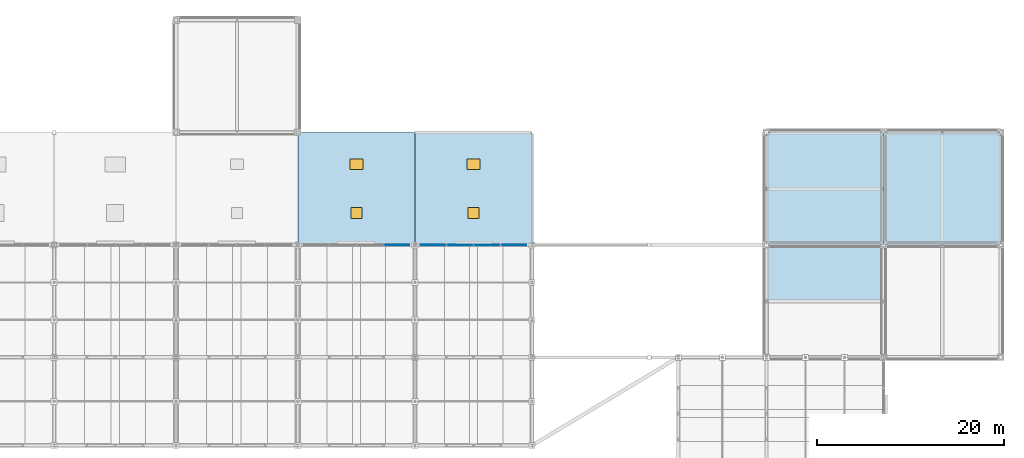
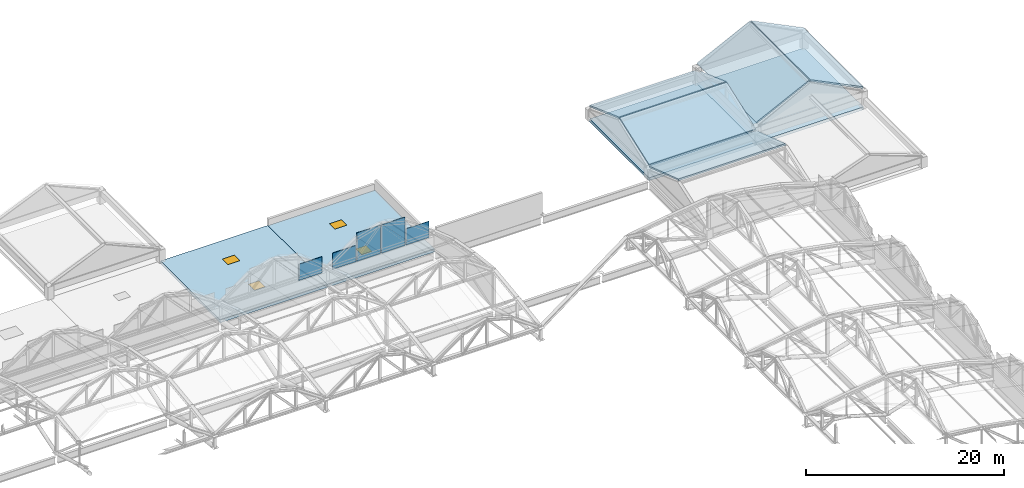
"""IFC4 building model written with IfcOpenShell, lengths in metres."""

from ifc_helpers import new_model, si_unit, direction, frame, origin, origin_2d, place, context, subcontext, project, spatial, polyline, rectangle, outline, extrude, material, layer, layer_set, type_object, element, fill, save


model = new_model("IFC4")

# Units and contexts
model_context = context("Model", 3, precision=1e-05, world=origin(), true_north=direction((0.0, 1.0)))
body_context = subcontext(model_context, "Body", "Model", "MODEL_VIEW")
ifc_project = project(units=[si_unit("LENGTHUNIT", "METRE"), si_unit("AREAUNIT", "SQUARE_METRE"), si_unit("VOLUMEUNIT", "CUBIC_METRE"), si_unit("PLANEANGLEUNIT", "RADIAN"), si_unit("MASSUNIT", "GRAM", prefix="KILO")], contexts=[model_context])

# Site, building, storey
site_placement = place(None, origin())
site = spatial("IfcSite", under=ifc_project, at=site_placement, CompositionType="ELEMENT")
building_placement = place(site_placement, origin())
building = spatial("IfcBuilding", under=site, at=building_placement, Name="Kazenohara Klinker Stadium", CompositionType="ELEMENT")
storey_1_placement = place(building_placement, frame((0.0, 0.0, 31.199951171875)))
storey_1 = spatial("IfcBuildingStorey", under=building, at=storey_1_placement, Name="RF", CompositionType="ELEMENT", Elevation=31.199951171875)

# Plates
ifc_material_1 = material(Name="Low-e laminated triple glazing", Category="glass")
ifc_layer_1 = layer(ifc_material_1, 0.0439453125)
ifc_layer_set_1 = layer_set([ifc_layer_1], Name="Low-e laminated triple glazing")
plate_type = type_object("IfcPlateType", Name="PLT-GLZ-CLER", PredefinedType="USERDEFINED", material=ifc_layer_set_1)
for number, where, z_axis, x_axis, name in (
    (1, (135.53125, 144.0, 1.650146484375), (0.0, 0.0, 1.0), (1.0, 0.0, 0.0), "Arched barrel clerestory glazing panel CP02 N-06-Q4"),
    (2, (139.46875, 144.0, 1.650146484375), (0.0, 0.0, 1.0), (1.0, 0.0, 0.0), "Arched barrel clerestory glazing panel CP02 N-07-Q1"),
):
    element("IfcPlate", number, at=place(storey_1_placement, frame(where, z_axis=z_axis, x_axis=x_axis)), inside=storey_1, type_object=plate_type, Name=name, ObjectType="CLERESTORY GLAZING", PredefinedType="USERDEFINED", context=body_context, shape_type="SweptSolid", body=[
        extrude(rectangle(XDim=2.6875, YDim=0.0439453125, at=origin_2d()), origin(), (0.0, 0.0, 1.0), 2.0),
    ])
for number, where, z_axis, x_axis, name in (
    (3, (142.3125, 144.0, 1.650146484375), (0.0, 0.0, 1.0), (1.0, 0.0, 0.0), "Arched barrel clerestory glazing panel CP02 N-07-Q2"),
    (4, (145.1875, 144.0, 1.650146484375), (0.0, 0.0, 1.0), (1.0, 0.0, 0.0), "Arched barrel clerestory glazing panel CP02 N-07-Q3"),
):
    element("IfcPlate", number, at=place(storey_1_placement, frame(where, z_axis=z_axis, x_axis=x_axis)), inside=storey_1, type_object=plate_type, Name=name, ObjectType="CLERESTORY GLAZING", PredefinedType="USERDEFINED", context=body_context, shape_type="SweptSolid", body=[
        extrude(rectangle(XDim=2.75, YDim=0.0439453125, at=origin_2d()), origin(), (0.0, 0.0, 1.0), 3.5),
    ])
plate_placement = place(storey_1_placement, frame((148.03125, 144.0, 1.650146484375), z_axis=(0.0, 0.0, 1.0), x_axis=(1.0, 0.0, 0.0)))
element("IfcPlate", 5, at=plate_placement, inside=storey_1, type_object=plate_type, Name="Arched barrel clerestory glazing panel CP02 N-07-Q4", ObjectType="CLERESTORY GLAZING", PredefinedType="USERDEFINED", context=body_context, shape_type="SweptSolid", body=[
    extrude(rectangle(XDim=2.6875, YDim=0.0439453125, at=origin_2d()), origin(), (0.0, 0.0, 1.0), 2.0),
])

# Slabs
ifc_material_2 = material(Name="Steel S355", Category="steel")
ifc_layer_2 = layer(ifc_material_2, 0.18994140625)
ifc_layer_set_2 = layer_set([ifc_layer_2], Name="Steel S355")
slab_type_1 = type_object("IfcSlabType", Name="SLB-ROOF-190", PredefinedType="ROOF", material=ifc_layer_set_2)
for number, where, z_axis, x_axis, name in (
    (6, (187.5, 144.0, 2.469970703125), (-0.441703727171, 0.0, 0.897160976304), (0.897160976304, 0.0, 0.441703727171), "Pitched turret crown roof slab RS03 GT3-NE-A"),
    (7, (193.804931640625, 144.0, 5.52001953125), (0.441703727171, 0.0, 0.897160976304), (0.897160976304, 0.0, -0.441703727171), "Pitched turret crown roof slab RS03 GT3-NE-B"),
):
    element("IfcSlab", number, at=place(storey_1_placement, frame(where, z_axis=z_axis, x_axis=x_axis)), inside=storey_1, type_object=slab_type_1, Name=name, PredefinedType="ROOF", context=body_context, shape_type="SweptSolid", body=[
        extrude(outline(polyline([(0.0, 0.0), (6.905191513004975, 0.0), (6.905191513004975, 12.0), (0.0, 12.0), (0.0, 0.0)])), origin(), (0.0, 0.0, -1.0), 0.18994140625),
    ])
for number, where, z_axis, x_axis, name in (
    (8, (175.0, 144.0, 1.670166015625), (0.0, -0.340074319183, 0.940398563074), (1.0, 0.0, 0.0), "Pitched turret crown roof slab RS03 GT3-NW-A"),
    (9, (175.0, 150.054931640625, 3.820068359375), (0.0, 0.340074319183, 0.940398563074), (1.0, 0.0, 0.0), "Pitched turret crown roof slab RS03 GT3-NW-B"),
):
    element("IfcSlab", number, at=place(storey_1_placement, frame(where, z_axis=z_axis, x_axis=x_axis)), inside=storey_1, type_object=slab_type_1, Name=name, PredefinedType="ROOF", context=body_context, shape_type="SweptSolid", body=[
        extrude(outline(polyline([(0.0, 0.0), (12.5, 0.0), (12.5, 6.321860318395489), (0.0, 6.321860318395489), (0.0, 0.0)])), origin(), (0.0, 0.0, -1.0), 0.18994140625),
    ])
slab_1_placement = place(storey_1_placement, frame((175.0, 138.054931640625, 3.469970703125), z_axis=(0.0, 0.31885382794, 0.947803901874), x_axis=(1.0, 0.0, 0.0)))
element("IfcSlab", 10, at=slab_1_placement, inside=storey_1, type_object=slab_type_1, Name="Pitched turret crown roof slab RS03 GT3-SW-B", PredefinedType="ROOF", context=body_context, shape_type="SweptSolid", body=[
    extrude(outline(polyline([(0.0, 0.0), (12.5, 0.0), (12.5, 6.272466643804632), (0.0, 6.272466643804632), (0.0, 0.0)])), origin(), (0.0, 0.0, -1.0), 0.18994140625),
])

# Slab, openings
ifc_material_3 = material(Name="Concrete C40/50", Category="concrete")
ifc_layer_3 = layer(ifc_material_3, 0.360107421875)
ifc_layer_set_3 = layer_set([ifc_layer_3], Name="Concrete C40/50")
slab_type_2 = type_object("IfcSlabType", Name="SLB-ROOF-360", PredefinedType="ROOF", material=ifc_layer_set_3)
slab_2_placement = place(storey_1_placement, frame((0.0, 0.0, -0.35986328125)))
slab_2 = element("IfcSlab", 11, at=slab_2_placement, inside=storey_1, type_object=slab_type_2, Name="Main roof deck slab RS01 RF 11/N", PredefinedType="ROOF", context=body_context, shape_type="SweptSolid", body=[
    extrude(outline(polyline([(125.0, 144.0), (137.5, 144.0), (137.5, 156.0), (125.0, 156.0), (125.0, 144.0)])), origin(), (0.0, 0.0, 1.0), 0.35986328125),
])
opening_1_placement = place(slab_2_placement, frame((131.25, 147.39990234375, 0.0)))
opening_1 = element("IfcOpeningElement", 12, at=opening_1_placement, cuts=slab_2, Name="Opening RH01", PredefinedType="OPENING", context=body_context, shape_type="SweptSolid", body=[
    extrude(rectangle(XDim=1.199951171875, YDim=1.199951171875, at=origin_2d()), origin(), (0.0, 0.0, 1.0), 0.35986328125),
])
opening_2_placement = place(slab_2_placement, frame((131.25, 152.60009765625, 0.0)))
opening_2 = element("IfcOpeningElement", 13, at=opening_2_placement, cuts=slab_2, Name="Opening RH02", PredefinedType="OPENING", context=body_context, shape_type="SweptSolid", body=[
    extrude(rectangle(XDim=1.39990234375, YDim=1.10009765625, at=origin_2d()), origin(), (0.0, 0.0, 1.0), 0.35986328125),
])

# Storey
storey_2_placement = place(building_placement, frame((0.0, 0.0, 25.800048828125)))
storey_2 = spatial("IfcBuildingStorey", under=building, at=storey_2_placement, Name="L05", CompositionType="ELEMENT", Elevation=25.800048828125)

# Door
ifc_material_4 = material(Name="Insulated aluminium roof access hatch", Category="aluminium")
door_type_1 = type_object("IfcDoorType", Name="DR-HAT-1200x1200", OperationType="NOTDEFINED", PredefinedType="TRAPDOOR", material=ifc_material_4)
door_1_placement = place(opening_1_placement, frame((0.0, 0.0, 0.309814453125)))
door_1 = element("IfcDoor", 14, at=door_1_placement, inside=storey_2, type_object=door_type_1, Name="Roof inspection hatch RH-03", OperationType="SINGLE_SWING_LEFT", OverallHeight=1.199951171875, OverallWidth=1.199951171875, PredefinedType="TRAPDOOR", context=body_context, shape_type="SweptSolid", body=[
    extrude(rectangle(XDim=1.199951171875, YDim=1.199951171875, at=origin_2d()), origin(), (0.0, 0.0, 1.0), 0.050048828125),
])

fill(opening_1, door_1)

door_type_2 = type_object("IfcDoorType", Name="DR-HAT-1400x1100", OperationType="NOTDEFINED", PredefinedType="TRAPDOOR", material=ifc_material_4)
door_2_placement = place(opening_2_placement, frame((0.0, 0.0, 0.309814453125)))
door_2 = element("IfcDoor", 15, at=door_2_placement, inside=storey_2, type_object=door_type_2, Name="Roof inspection hatch RH-04", OperationType="SINGLE_SWING_LEFT", OverallHeight=1.10009765625, OverallWidth=1.39990234375, PredefinedType="TRAPDOOR", context=body_context, shape_type="SweptSolid", body=[
    extrude(rectangle(XDim=1.39990234375, YDim=1.10009765625, at=origin_2d()), origin(), (0.0, 0.0, 1.0), 0.050048828125),
])

fill(opening_2, door_2)

# Slab, openings, doors
slab_3_placement = place(storey_1_placement, frame((0.0, 0.0, -0.35986328125)))
slab_3 = element("IfcSlab", 16, at=slab_3_placement, inside=storey_1, type_object=slab_type_2, Name="Main roof deck slab RS01 RF 12/N", PredefinedType="ROOF", context=body_context, shape_type="SweptSolid", body=[
    extrude(outline(polyline([(137.5, 144.0), (150.0, 144.0), (150.0, 156.0), (137.5, 156.0), (137.5, 144.0)])), origin(), (0.0, 0.0, 1.0), 0.35986328125),
])
opening_3_placement = place(slab_3_placement, frame((143.75, 147.39990234375, 0.0)))
opening_3 = element("IfcOpeningElement", 17, at=opening_3_placement, cuts=slab_3, Name="Opening RH01", PredefinedType="OPENING", context=body_context, shape_type="SweptSolid", body=[
    extrude(rectangle(XDim=1.199951171875, YDim=1.199951171875, at=origin_2d()), origin(), (0.0, 0.0, 1.0), 0.35986328125),
])
opening_4_placement = place(slab_3_placement, frame((143.75, 152.60009765625, 0.0)))
opening_4 = element("IfcOpeningElement", 18, at=opening_4_placement, cuts=slab_3, Name="Opening RH02", PredefinedType="OPENING", context=body_context, shape_type="SweptSolid", body=[
    extrude(rectangle(XDim=1.39990234375, YDim=1.10009765625, at=origin_2d()), origin(), (0.0, 0.0, 1.0), 0.35986328125),
])
door_3_placement = place(opening_3_placement, frame((0.0, 0.0, 0.309814453125)))
door_3 = element("IfcDoor", 19, at=door_3_placement, inside=storey_2, type_object=door_type_1, Name="Roof inspection hatch RH-05", OperationType="SINGLE_SWING_LEFT", OverallHeight=1.199951171875, OverallWidth=1.199951171875, PredefinedType="TRAPDOOR", context=body_context, shape_type="SweptSolid", body=[
    extrude(rectangle(XDim=1.199951171875, YDim=1.199951171875, at=origin_2d()), origin(), (0.0, 0.0, 1.0), 0.050048828125),
])
fill(opening_3, door_3)
door_4_placement = place(opening_4_placement, frame((0.0, 0.0, 0.309814453125)))
door_4 = element("IfcDoor", 20, at=door_4_placement, inside=storey_2, type_object=door_type_2, Name="Roof inspection hatch RH-06", OperationType="SINGLE_SWING_LEFT", OverallHeight=1.10009765625, OverallWidth=1.39990234375, PredefinedType="TRAPDOOR", context=body_context, shape_type="SweptSolid", body=[
    extrude(rectangle(XDim=1.39990234375, YDim=1.10009765625, at=origin_2d()), origin(), (0.0, 0.0, 1.0), 0.050048828125),
])
fill(opening_4, door_4)

# Slabs
slab_4_placement = place(storey_1_placement, frame((0.0, 0.0, -0.35986328125)))
element("IfcSlab", 21, at=slab_4_placement, inside=storey_1, type_object=slab_type_2, Name="Main roof deck slab RS01 RF 15/N", PredefinedType="ROOF", context=body_context, shape_type="SweptSolid", body=[
    extrude(outline(polyline([(175.0, 144.0), (187.5, 144.0), (187.5, 156.0), (175.0, 156.0), (175.0, 144.0)])), origin(), (0.0, 0.0, 1.0), 0.35986328125),
])
slab_5_placement = place(storey_1_placement, frame((0.0, 0.0, -0.35986328125)))
element("IfcSlab", 22, at=slab_5_placement, inside=storey_1, type_object=slab_type_2, Name="Main roof deck slab RS01 RF 16/N", PredefinedType="ROOF", context=body_context, shape_type="SweptSolid", body=[
    extrude(outline(polyline([(187.5, 144.0), (200.0, 144.0), (200.0, 156.0), (187.5, 156.0), (187.5, 144.0)])), origin(), (0.0, 0.0, 1.0), 0.35986328125),
])

save(model, "model.ifc")
